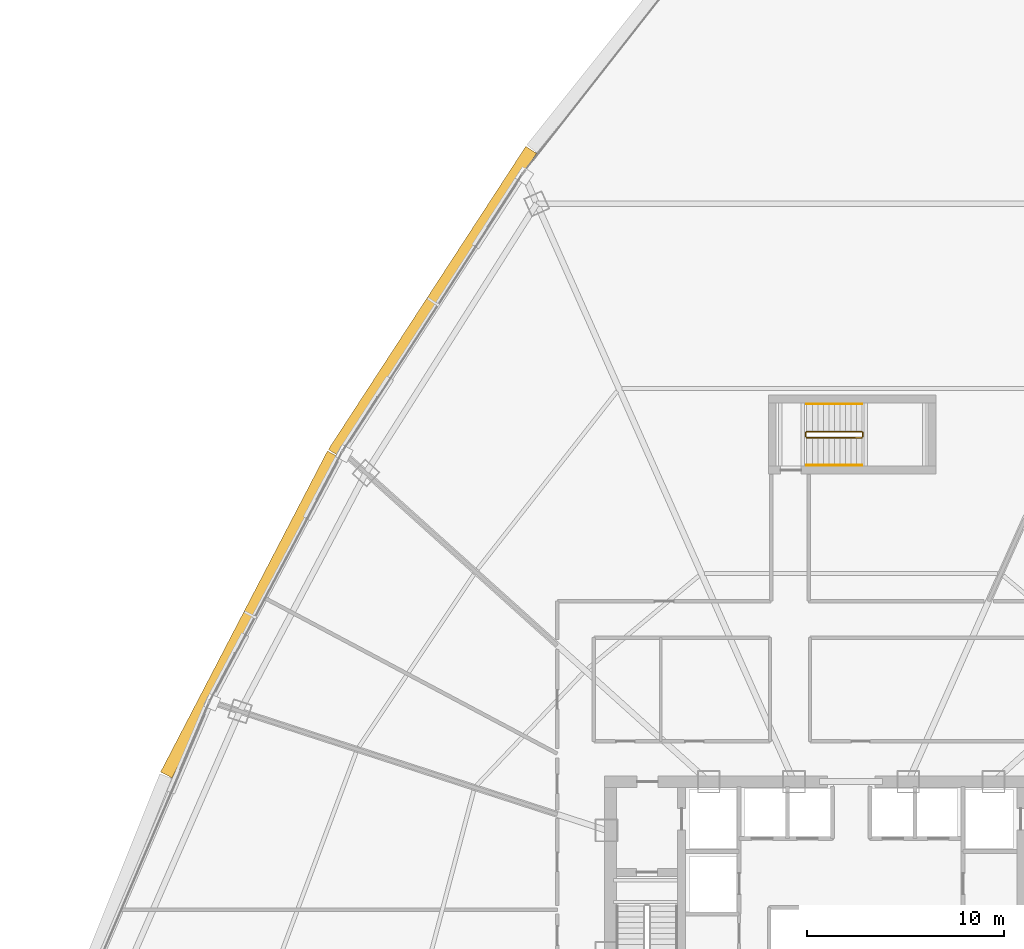
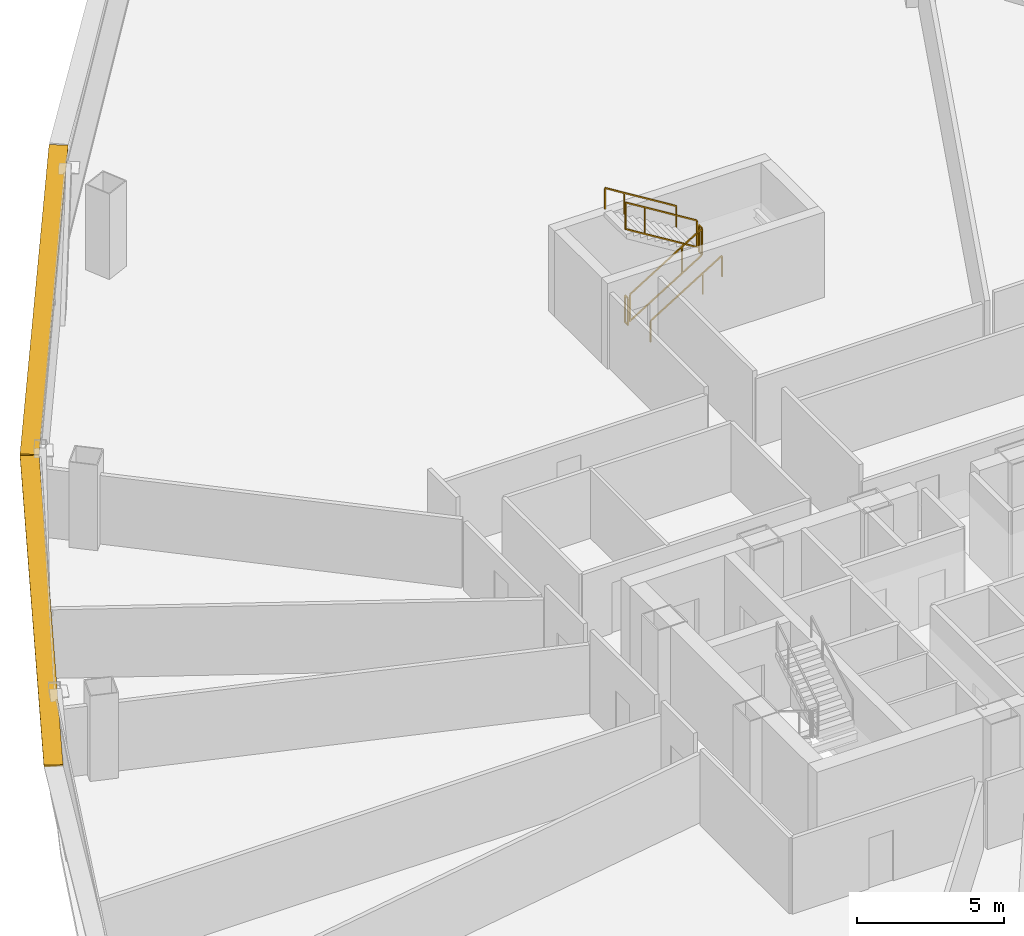
# One storey, part 35 of 36: 6 railings, 2 shading devices.
"""IFC4 building model written with IfcOpenShell, lengths in metres."""

from ifc_helpers import new_model, si_unit, direction, frame, origin, origin_2d, place, context, subcontext, project, spatial, rectangle, extrude, source, transform, mapped, material, layer, layer_set, type_object, element, save


model = new_model("IFC4")

# Units and contexts
model_context = context("Model", 3, precision=1e-05, world=origin(), true_north=direction((0.0, 1.0)))
body_context = subcontext(model_context, "Body", "Model", "MODEL_VIEW")
ifc_project = project(units=[si_unit("LENGTHUNIT", "METRE"), si_unit("AREAUNIT", "SQUARE_METRE"), si_unit("VOLUMEUNIT", "CUBIC_METRE"), si_unit("PLANEANGLEUNIT", "RADIAN"), si_unit("MASSUNIT", "GRAM", prefix="KILO"), si_unit("THERMODYNAMICTEMPERATUREUNIT", "KELVIN"), si_unit("POWERUNIT", "WATT")], contexts=[model_context])

# Site, building, storey
site_placement = place(None, origin())
site = spatial("IfcSite", under=ifc_project, at=site_placement, CompositionType="ELEMENT")
building_placement = place(site_placement, origin())
building = spatial("IfcBuilding", under=site, at=building_placement, Name="Yunzhuo Pagoda Commons", CompositionType="ELEMENT")
storey_placement = place(building_placement, frame((0.0, 0.0, 107.780029296875)))
storey = spatial("IfcBuildingStorey", under=building, at=storey_placement, Name="L27", CompositionType="ELEMENT", Elevation=107.780029296875)

# Railings
ifc_material = material(Name="Anodized aluminium 6063-T6", Category="aluminium")
railing_type_1 = type_object("IfcRailingType", Name="GR-ST3 North Well Guardrail 1155", PredefinedType="GUARDRAIL", material=ifc_material)
railing_1_placement = place(storey_placement, frame((45.75, 57.64990234375, 0.172607421875)))
element("IfcRailing", 1, at=railing_1_placement, inside=storey, type_object=railing_type_1, Name="L27 ST3 stair guard 1", PredefinedType="GUARDRAIL", context=body_context, shape_type="SweptSolid", body=[
    extrude(rectangle(XDim=0.048095703125, YDim=0.048095703125, at=origin_2d()), frame((0.0, 0.0, 1.1259765625), z_axis=(0.851089632645, 0.0, 0.525020415988), x_axis=(0.0, 1.0, 0.0)), (0.0, 0.0, 1.0), 3.2900390625),
    extrude(rectangle(XDim=0.048095703125, YDim=0.048095703125, at=origin_2d()), frame((0.0, 0.0, 0.02392578125), z_axis=(0.851089632645, 0.0, 0.525020415988), x_axis=(0.0, 1.0, 0.0)), (0.0, 0.0, 1.0), 3.2900390625),
    extrude(rectangle(XDim=0.0419921875, YDim=0.0419921875, at=origin_2d()), origin(), (0.0, 0.0, 1.0), 1.101806640625),
    extrude(rectangle(XDim=0.0419921875, YDim=0.0419921875, at=origin_2d()), frame((2.042724609375, 0.0, 1.260009765625)), (0.0, 0.0, 1.0), 1.101806640625),
    extrude(rectangle(XDim=0.0419921875, YDim=0.0419921875, at=origin_2d()), frame((2.800048828125, 0.0, 1.727294921875)), (0.0, 0.0, 1.0), 1.101806640625),
])
railing_2_placement = place(storey_placement, frame((48.60009765625, 57.699951171875, 1.89990234375)))
element("IfcRailing", 2, at=railing_2_placement, inside=storey, type_object=railing_type_1, Name="L27 ST3 stair guard 2", PredefinedType="GUARDRAIL", context=body_context, shape_type="SweptSolid", body=[
    extrude(rectangle(XDim=0.048095703125, YDim=0.048095703125, at=origin_2d()), frame((0.0, 0.0, 1.1259765625), z_axis=(0.0, 1.0, 0.0), x_axis=(-1.0, 0.0, 0.0)), (0.0, 0.0, 1.0), 0.199951171875),
    extrude(rectangle(XDim=0.048095703125, YDim=0.048095703125, at=origin_2d()), frame((0.0, 0.0, 0.02392578125), z_axis=(0.0, 1.0, 0.0), x_axis=(-1.0, 0.0, 0.0)), (0.0, 0.0, 1.0), 0.199951171875),
    extrude(rectangle(XDim=0.0419921875, YDim=0.0419921875, at=origin_2d()), origin(), (0.0, 0.0, 1.0), 1.101806640625),
    extrude(rectangle(XDim=0.0419921875, YDim=0.0419921875, at=origin_2d()), frame((0.0, 0.199951171875, 0.0)), (0.0, 0.0, 1.0), 1.101806640625),
])
railing_3_placement = place(storey_placement, frame((48.550048828125, 57.949951171875, 2.07275390625)))
element("IfcRailing", 3, at=railing_3_placement, inside=storey, type_object=railing_type_1, Name="L27 ST3 stair guard 3", PredefinedType="GUARDRAIL", context=body_context, shape_type="SweptSolid", body=[
    extrude(rectangle(XDim=0.048095703125, YDim=0.048095703125, at=origin_2d()), frame((0.0, 0.0, 1.1259765625), z_axis=(-0.851089632645, 0.0, 0.525020415988), x_axis=(0.0, -1.0, 0.0)), (0.0, 0.0, 1.0), 3.2900390625),
    extrude(rectangle(XDim=0.048095703125, YDim=0.048095703125, at=origin_2d()), frame((0.0, 0.0, 0.02392578125), z_axis=(-0.851089632645, 0.0, 0.525020415988), x_axis=(0.0, -1.0, 0.0)), (0.0, 0.0, 1.0), 3.2900390625),
    extrude(rectangle(XDim=0.0419921875, YDim=0.0419921875, at=origin_2d()), origin(), (0.0, 0.0, 1.0), 1.101806640625),
    extrude(rectangle(XDim=0.0419921875, YDim=0.0419921875, at=origin_2d()), frame((-2.042724609375, 0.0, 1.260009765625)), (0.0, 0.0, 1.0), 1.101806640625),
    extrude(rectangle(XDim=0.0419921875, YDim=0.0419921875, at=origin_2d()), frame((-2.800048828125, 0.0, 1.727294921875)), (0.0, 0.0, 1.0), 1.101806640625),
])
railing_4_placement = place(storey_placement, frame((45.699951171875, 57.699951171875, 0.0)))
element("IfcRailing", 4, at=railing_4_placement, inside=storey, type_object=railing_type_1, Name="L27 ST3 stair guard 4", PredefinedType="GUARDRAIL", context=body_context, shape_type="SweptSolid", body=[
    extrude(rectangle(XDim=0.048095703125, YDim=0.048095703125, at=origin_2d()), frame((0.0, 0.0, 1.1259765625), z_axis=(0.0, 1.0, 0.0), x_axis=(-1.0, 0.0, 0.0)), (0.0, 0.0, 1.0), 0.199951171875),
    extrude(rectangle(XDim=0.048095703125, YDim=0.048095703125, at=origin_2d()), frame((0.0, 0.0, 0.02392578125), z_axis=(0.0, 1.0, 0.0), x_axis=(-1.0, 0.0, 0.0)), (0.0, 0.0, 1.0), 0.199951171875),
    extrude(rectangle(XDim=0.0419921875, YDim=0.0419921875, at=origin_2d()), origin(), (0.0, 0.0, 1.0), 1.101806640625),
    extrude(rectangle(XDim=0.0419921875, YDim=0.0419921875, at=origin_2d()), frame((0.0, 0.199951171875, 0.0)), (0.0, 0.0, 1.0), 1.101806640625),
])
railing_type_2 = type_object("IfcRailingType", Name="HR-ST3 North Stair Handrail 900", PredefinedType="HANDRAIL", material=ifc_material)
railing_5_placement = place(storey_placement, frame((45.75, 56.25, 0.172607421875)))
element("IfcRailing", 5, at=railing_5_placement, inside=storey, type_object=railing_type_2, Name="L27 ST3 stair handrail 1", PredefinedType="HANDRAIL", context=body_context, shape_type="SweptSolid", body=[
    extrude(rectangle(XDim=0.048095703125, YDim=0.048095703125, at=origin_2d()), frame((0.0, 0.0, 0.8759765625), z_axis=(0.851089632645, 0.0, 0.525020415988), x_axis=(0.0, 1.0, 0.0)), (0.0, 0.0, 1.0), 3.2900390625),
    extrude(rectangle(XDim=0.0419921875, YDim=0.0419921875, at=origin_2d()), origin(), (0.0, 0.0, 1.0), 0.851806640625),
    extrude(rectangle(XDim=0.0419921875, YDim=0.0419921875, at=origin_2d()), frame((2.042724609375, 0.0, 1.260009765625)), (0.0, 0.0, 1.0), 0.851806640625),
    extrude(rectangle(XDim=0.0419921875, YDim=0.0419921875, at=origin_2d()), frame((2.800048828125, 0.0, 1.727294921875)), (0.0, 0.0, 1.0), 0.851806640625),
])
railing_6_placement = place(storey_placement, frame((48.550048828125, 59.35009765625, 2.07275390625)))
element("IfcRailing", 6, at=railing_6_placement, inside=storey, type_object=railing_type_2, Name="L27 ST3 stair handrail 2", PredefinedType="HANDRAIL", context=body_context, shape_type="SweptSolid", body=[
    extrude(rectangle(XDim=0.048095703125, YDim=0.048095703125, at=origin_2d()), frame((0.0, 0.0, 0.8759765625), z_axis=(-0.851089632645, 0.0, 0.525020415988), x_axis=(0.0, -1.0, 0.0)), (0.0, 0.0, 1.0), 3.2900390625),
    extrude(rectangle(XDim=0.0419921875, YDim=0.0419921875, at=origin_2d()), origin(), (0.0, 0.0, 1.0), 0.851806640625),
    extrude(rectangle(XDim=0.0419921875, YDim=0.0419921875, at=origin_2d()), frame((-2.042724609375, 0.0, 1.260009765625)), (0.0, 0.0, 1.0), 0.851806640625),
    extrude(rectangle(XDim=0.0419921875, YDim=0.0419921875, at=origin_2d()), frame((-2.800048828125, 0.0, 1.727294921875)), (0.0, 0.0, 1.0), 0.851806640625),
])

# Shading devices
ifc_layer = layer(ifc_material, 0.080078125)
ifc_layer_set = layer_set([ifc_layer], Name="Anodized aluminium 6063-T6")
shading_device_type = type_object("IfcShadingDeviceType", Name="SH-SUN1 Pagoda Horizontal Sunshade Eave 650", PredefinedType="USERDEFINED", material=ifc_layer_set)
shared_shape_1 = source(origin(), body_context, "Body", "SweptSolid", [
    extrude(rectangle(XDim=18.341796875, YDim=0.64990234375, at=origin_2d()), origin(), (0.0, 0.0, 1.0), 0.080078125),
])
shading_device_1_placement = place(storey_placement, frame((17.502685546875, 48.678955078125, 3.4599609375), z_axis=(0.0, 0.0, 1.0), x_axis=(-0.461206683033, -0.88729273384, 0.0)))
element("IfcShadingDevice", 7, at=shading_device_1_placement, inside=storey, type_object=shading_device_type, Name="L27 horizontal pagoda sunshade eave F3.3", ObjectType="SUNSHADE", PredefinedType="USERDEFINED", context=body_context, shape_type="MappedRepresentation", body=[
    mapped(shared_shape_1, transform((0.0, 0.0, 0.0), scale=1.0)),
])
shared_shape_2 = source(origin(), body_context, "Body", "SweptSolid", [
    extrude(rectangle(XDim=18.342041015625, YDim=0.64990234375, at=origin_2d()), origin(), (0.0, 0.0, 1.0), 0.080078125),
])
shading_device_2_placement = place(storey_placement, frame((26.7705078125, 64.555419921875, 3.4599609375), z_axis=(0.0, 0.0, 1.0), x_axis=(-0.545838756973, -0.837890238269, 0.0)))
element("IfcShadingDevice", 8, at=shading_device_2_placement, inside=storey, type_object=shading_device_type, Name="L27 horizontal pagoda sunshade eave F3.2", ObjectType="SUNSHADE", PredefinedType="USERDEFINED", context=body_context, shape_type="MappedRepresentation", body=[
    mapped(shared_shape_2, transform((0.0, 0.0, 0.0), scale=1.0)),
])

save(model, "model.ifc")
